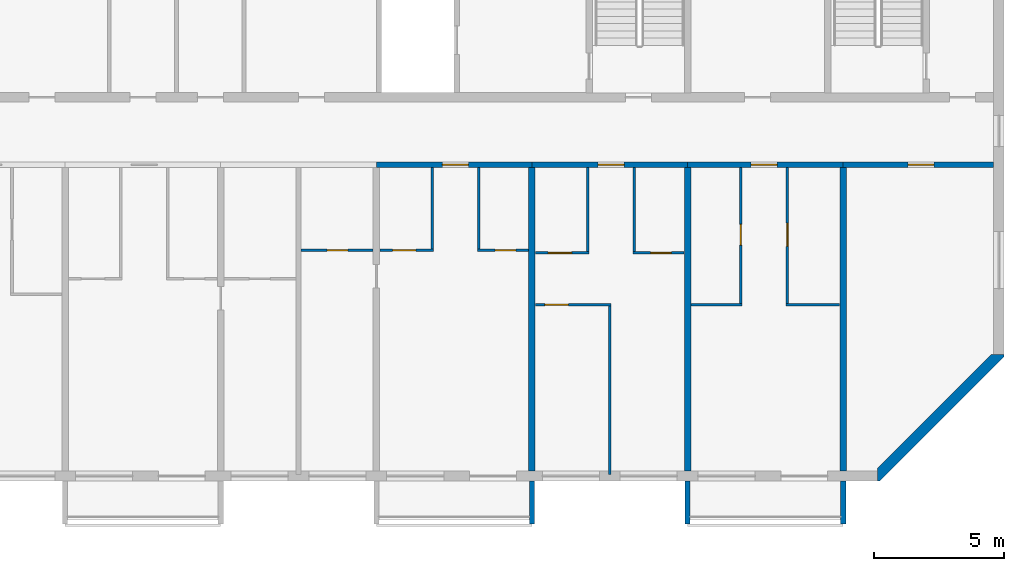
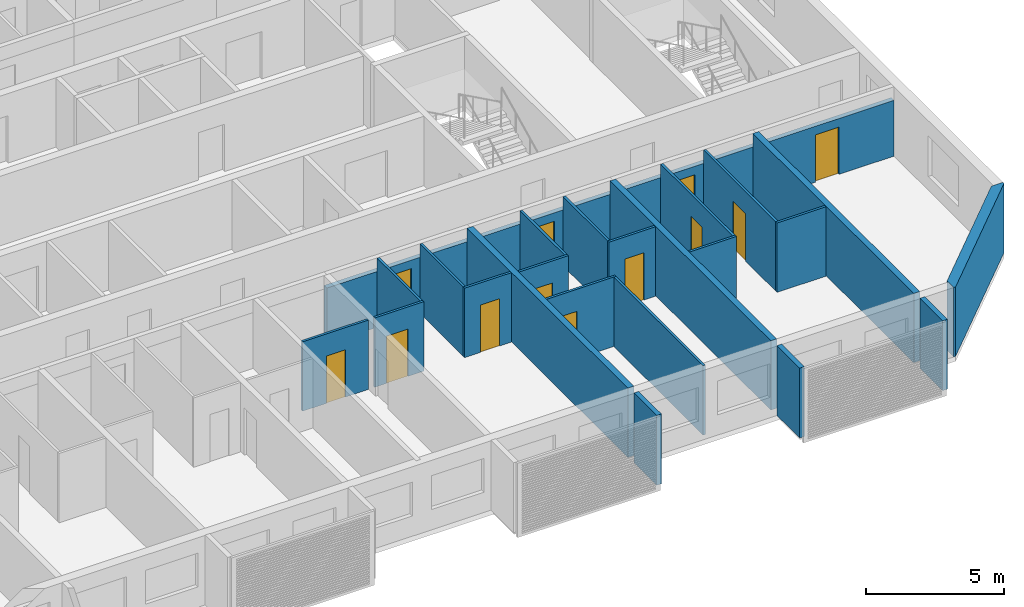
# One storey, part 5 of 27: 26 walls, 12 doors, 12 openings.
"""IFC4 building model written with IfcOpenShell, lengths in metres."""

from ifc_helpers import new_model, si_unit, direction, frame, frame_2d, origin, place, context, subcontext, project, spatial, polyline, rectangle, outline, extrude, source, transform, mapped, material, layer, layer_set, type_object, element, fill, save


model = new_model("IFC4")

# Units and contexts
model_context = context("Model", 3, precision=1e-05, world=origin(), true_north=direction((0.0, 1.0)))
body_context = subcontext(model_context, "Body", "Model", "MODEL_VIEW")
ifc_project = project(units=[si_unit("LENGTHUNIT", "METRE"), si_unit("AREAUNIT", "SQUARE_METRE"), si_unit("VOLUMEUNIT", "CUBIC_METRE"), si_unit("PLANEANGLEUNIT", "RADIAN"), si_unit("MASSUNIT", "GRAM", prefix="KILO")], contexts=[model_context])

# Site, building, storey
site_placement = place(None, origin())
site = spatial("IfcSite", under=ifc_project, at=site_placement, CompositionType="ELEMENT")
building_placement = place(site_placement, origin())
building = spatial("IfcBuilding", under=site, at=building_placement, Name="Poui Terraces", CompositionType="ELEMENT")
storey_placement = place(building_placement, frame((0.0, 0.0, 254.39990234375)))
storey = spatial("IfcBuildingStorey", under=building, at=storey_placement, Name="L71", CompositionType="ELEMENT", Elevation=254.39990234375)

# Wall, opening, door
ifc_material_1 = material(Name="Concrete 50 MPa", Category="concrete")
ifc_layer_1 = layer(ifc_material_1, 0.199951171875)
ifc_layer_set_1 = layer_set([ifc_layer_1], Name="Concrete 50 MPa")
wall_type_1 = type_object("IfcWallType", Name="CORRIDOR WALL 200 50MPa", PredefinedType="SHEAR", material=ifc_layer_set_1)
wall_1_placement = place(storey_placement, frame((60.0, 12.0, 0.0), z_axis=(0.0, 0.0, 1.0), x_axis=(1.0, 0.0, 0.0)))
wall_1 = element("IfcWall", 1, at=wall_1_placement, inside=storey, type_object=wall_type_1, Name="CORRIDOR WALL LINE B BAY 8", PredefinedType="SHEAR", context=body_context, shape_type="SweptSolid", body=[
    extrude(rectangle(XDim=6.0, YDim=0.199951171875, at=frame_2d((3.0, 0.0))), origin(), (0.0, 0.0, 1.0), 2.47998046875),
])
opening_1_placement = place(wall_1_placement, frame((2.550048828125, 0.0, 0.0)))
opening_1 = element("IfcOpeningElement", 2, at=opening_1_placement, cuts=wall_1, Name="Opening FD30S", PredefinedType="OPENING", context=body_context, shape_type="SweptSolid", body=[
    extrude(rectangle(XDim=1.0, YDim=2.10009765625, at=frame_2d((0.5, 1.050048828125))), frame((0.0, 0.10986328125, 0.0), z_axis=(0.0, -1.0, 0.0), x_axis=(1.0, 0.0, 0.0)), (0.0, 0.0, 1.0), 0.219970703125),
])
ifc_material_2 = material(Name="Steel fire door", Category="steel")
door_type_1 = type_object("IfcDoorType", Name="FLAT ENTRANCE DOOR 1000 X 2100", OperationType="NOTDEFINED", PredefinedType="DOOR", material=ifc_material_2)
door_1_placement = place(opening_1_placement, frame((1.0, 0.0, 0.0), z_axis=(0.0, 0.0, 1.0), x_axis=(-1.0, 0.0, 0.0)))
door_1 = element("IfcDoor", 3, at=door_1_placement, inside=storey, type_object=door_type_1, Name="FLAT ENTRANCE DOOR 084", OperationType="SINGLE_SWING_LEFT", OverallHeight=2.10009765625, OverallWidth=1.0, PredefinedType="DOOR", context=body_context, shape_type="SweptSolid", body=[
    extrude(rectangle(XDim=1.0, YDim=2.10009765625, at=frame_2d((0.5, 1.050048828125))), frame((0.0, 0.02490234375, 0.0), z_axis=(0.0, -1.0, 0.0), x_axis=(1.0, 0.0, 0.0)), (0.0, 0.0, 1.0), 0.050048828125),
])
fill(opening_1, door_1)

wall_2_placement = place(storey_placement, frame((66.0, 12.0, 0.0), z_axis=(0.0, 0.0, 1.0), x_axis=(1.0, 0.0, 0.0)))
wall_2 = element("IfcWall", 4, at=wall_2_placement, inside=storey, type_object=wall_type_1, Name="CORRIDOR WALL LINE B BAY 9", PredefinedType="SHEAR", context=body_context, shape_type="SweptSolid", body=[
    extrude(rectangle(XDim=6.0, YDim=0.199951171875, at=frame_2d((3.0, 0.0))), origin(), (0.0, 0.0, 1.0), 2.47998046875),
])
opening_2_placement = place(wall_2_placement, frame((2.550048828125, 0.0, 0.0)))
opening_2 = element("IfcOpeningElement", 5, at=opening_2_placement, cuts=wall_2, Name="Opening FD30S", PredefinedType="OPENING", context=body_context, shape_type="SweptSolid", body=[
    extrude(rectangle(XDim=1.0, YDim=2.10009765625, at=frame_2d((0.5, 1.050048828125))), frame((0.0, 0.10986328125, 0.0), z_axis=(0.0, -1.0, 0.0), x_axis=(1.0, 0.0, 0.0)), (0.0, 0.0, 1.0), 0.219970703125),
])
door_2_placement = place(opening_2_placement, frame((1.0, 0.0, 0.0), z_axis=(0.0, 0.0, 1.0), x_axis=(-1.0, 0.0, 0.0)))
door_2 = element("IfcDoor", 6, at=door_2_placement, inside=storey, type_object=door_type_1, Name="FLAT ENTRANCE DOOR 088", OperationType="SINGLE_SWING_LEFT", OverallHeight=2.10009765625, OverallWidth=1.0, PredefinedType="DOOR", context=body_context, shape_type="SweptSolid", body=[
    extrude(rectangle(XDim=1.0, YDim=2.10009765625, at=frame_2d((0.5, 1.050048828125))), frame((0.0, 0.02490234375, 0.0), z_axis=(0.0, -1.0, 0.0), x_axis=(1.0, 0.0, 0.0)), (0.0, 0.0, 1.0), 0.050048828125),
])
fill(opening_2, door_2)

wall_3_placement = place(storey_placement, frame((72.0, 12.0, 0.0), z_axis=(0.0, 0.0, 1.0), x_axis=(1.0, 0.0, 0.0)))
wall_3 = element("IfcWall", 7, at=wall_3_placement, inside=storey, type_object=wall_type_1, Name="CORRIDOR WALL LINE B BAY 10", PredefinedType="SHEAR", context=body_context, shape_type="SweptSolid", body=[
    extrude(rectangle(XDim=6.0, YDim=0.199951171875, at=frame_2d((3.0, 0.0))), origin(), (0.0, 0.0, 1.0), 2.47998046875),
])
opening_3_placement = place(wall_3_placement, frame((2.449951171875, 0.0, 0.0)))
opening_3 = element("IfcOpeningElement", 8, at=opening_3_placement, cuts=wall_3, Name="Opening FD30S", PredefinedType="OPENING", context=body_context, shape_type="SweptSolid", body=[
    extrude(rectangle(XDim=1.0, YDim=2.10009765625, at=frame_2d((0.5, 1.050048828125))), frame((0.0, 0.10986328125, 0.0), z_axis=(0.0, -1.0, 0.0), x_axis=(1.0, 0.0, 0.0)), (0.0, 0.0, 1.0), 0.219970703125),
])
door_3_placement = place(opening_3_placement, frame((1.0, 0.0, 0.0), z_axis=(0.0, 0.0, 1.0), x_axis=(-1.0, 0.0, 0.0)))
door_3 = element("IfcDoor", 9, at=door_3_placement, inside=storey, type_object=door_type_1, Name="FLAT ENTRANCE DOOR 091", OperationType="SINGLE_SWING_RIGHT", OverallHeight=2.10009765625, OverallWidth=1.0, PredefinedType="DOOR", context=body_context, shape_type="SweptSolid", body=[
    extrude(rectangle(XDim=1.0, YDim=2.10009765625, at=frame_2d((0.5, 1.050048828125))), frame((0.0, 0.02490234375, 0.0), z_axis=(0.0, -1.0, 0.0), x_axis=(1.0, 0.0, 0.0)), (0.0, 0.0, 1.0), 0.050048828125),
])
fill(opening_3, door_3)

wall_4_placement = place(storey_placement, frame((78.0, 12.0, 0.0), z_axis=(0.0, 0.0, 1.0), x_axis=(1.0, 0.0, 0.0)))
wall_4 = element("IfcWall", 10, at=wall_4_placement, inside=storey, type_object=wall_type_1, Name="CORRIDOR WALL LINE B BAY 11", PredefinedType="SHEAR", context=body_context, shape_type="SweptSolid", body=[
    extrude(rectangle(XDim=5.800048828125, YDim=0.199951171875, at=frame_2d((2.89990234375, 0.0))), origin(), (0.0, 0.0, 1.0), 2.47998046875),
])
opening_4_placement = place(wall_4_placement, frame((2.5, 0.0, 0.0)))
opening_4 = element("IfcOpeningElement", 11, at=opening_4_placement, cuts=wall_4, Name="Opening D100", PredefinedType="OPENING", context=body_context, shape_type="SweptSolid", body=[
    extrude(rectangle(XDim=1.0, YDim=2.10009765625, at=frame_2d((0.5, 1.050048828125))), frame((0.0, 0.10986328125, 0.0), z_axis=(0.0, -1.0, 0.0), x_axis=(1.0, 0.0, 0.0)), (0.0, 0.0, 1.0), 0.219970703125),
])
ifc_material_3 = material(Name="Solid core timber door", Category="wood")
door_type_2 = type_object("IfcDoorType", Name="ACCESSIBLE INTERNAL DOOR 1000 X 2100", OperationType="NOTDEFINED", PredefinedType="DOOR", material=ifc_material_3)
door_4_placement = place(opening_4_placement, frame((1.0, 0.0, 0.0), z_axis=(0.0, 0.0, 1.0), x_axis=(-1.0, 0.0, 0.0)))
door_4 = element("IfcDoor", 12, at=door_4_placement, inside=storey, type_object=door_type_2, Name="ACCESSIBLE INTERNAL DOOR 093", OperationType="SINGLE_SWING_RIGHT", OverallHeight=2.10009765625, OverallWidth=1.0, PredefinedType="DOOR", context=body_context, shape_type="SweptSolid", body=[
    extrude(rectangle(XDim=1.0, YDim=2.10009765625, at=frame_2d((0.5, 1.050048828125))), frame((0.0, 0.02490234375, 0.0), z_axis=(0.0, -1.0, 0.0), x_axis=(1.0, 0.0, 0.0)), (0.0, 0.0, 1.0), 0.050048828125),
])
fill(opening_4, door_4)

# Walls
ifc_layer_2 = layer(ifc_material_1, 0.25)
ifc_layer_set_2 = layer_set([ifc_layer_2], Name="Concrete 50 MPa")
wall_type_2 = type_object("IfcWallType", Name="CROSS WALL 250 50MPa", PredefinedType="SHEAR", material=ifc_layer_set_2)
for number, where, z_axis, x_axis, name in (
    (13, (66.0, 0.199951171875, 0.0), (0.0, 0.0, 1.0), (0.0, 1.0, 0.0), "CROSS WALL LINE 12 SOUTH"),
    (14, (72.0, 0.199951171875, 0.0), (0.0, 0.0, 1.0), (0.0, 1.0, 0.0), "CROSS WALL LINE 13 SOUTH"),
    (15, (78.0, 0.199951171875, 0.0), (0.0, 0.0, 1.0), (0.0, 1.0, 0.0), "CROSS WALL LINE 14 SOUTH"),
):
    element("IfcWall", number, at=place(storey_placement, frame(where, z_axis=z_axis, x_axis=x_axis)), inside=storey, type_object=wall_type_2, Name=name, PredefinedType="SHEAR", context=body_context, shape_type="SweptSolid", body=[
        extrude(rectangle(XDim=11.699951171875, YDim=0.25, at=frame_2d((5.85009765625, 0.0))), origin(), (0.0, 0.0, 1.0), 3.080078125),
    ])

# Wall, opening, door
ifc_material_4 = material(Name="Plasterboard partition")
ifc_layer_3 = layer(ifc_material_4, 0.10009765625)
ifc_layer_set_3 = layer_set([ifc_layer_3], Name="Plasterboard partition")
wall_type_3 = type_object("IfcWallType", Name="FLAT PARTITION 100", PredefinedType="PARTITIONING", material=ifc_layer_set_3)
wall_5_placement = place(storey_placement, frame((66.135009765625, 6.60009765625, 0.0), z_axis=(0.0, 0.0, 1.0), x_axis=(1.0, 0.0, 0.0)))
wall_5 = element("IfcWall", 16, at=wall_5_placement, inside=storey, type_object=wall_type_3, Name="FLAT PARTITION 100", PredefinedType="PARTITIONING", context=body_context, shape_type="SweptSolid", body=[
    extrude(rectangle(XDim=2.9150390625, YDim=0.10009765625, at=frame_2d((1.45751953125, 0.0))), origin(), (0.0, 0.0, 1.0), 3.080078125),
])
opening_5_placement = place(wall_5_placement, frame((0.364990234375, 0.0, 0.0)))
opening_5 = element("IfcOpeningElement", 17, at=opening_5_placement, cuts=wall_5, Name="Opening D90", PredefinedType="OPENING", context=body_context, shape_type="SweptSolid", body=[
    extrude(rectangle(XDim=0.89990234375, YDim=2.10009765625, at=frame_2d((0.449951171875, 1.050048828125))), frame((0.0, 0.06005859375, 0.0), z_axis=(0.0, -1.0, 0.0), x_axis=(1.0, 0.0, 0.0)), (0.0, 0.0, 1.0), 0.1201171875),
])
door_type_3 = type_object("IfcDoorType", Name="INTERNAL DOOR 900 X 2100", OperationType="NOTDEFINED", PredefinedType="DOOR", material=ifc_material_3)
door_5_placement = place(opening_5_placement, origin())
door_5 = element("IfcDoor", 18, at=door_5_placement, inside=storey, type_object=door_type_3, Name="INTERNAL DOOR 086", OperationType="SINGLE_SWING_RIGHT", OverallHeight=2.10009765625, OverallWidth=0.89990234375, PredefinedType="DOOR", context=body_context, shape_type="SweptSolid", body=[
    extrude(rectangle(XDim=0.89990234375, YDim=2.10009765625, at=frame_2d((0.449951171875, 1.050048828125))), frame((0.0, 0.02490234375, 0.0), z_axis=(0.0, -1.0, 0.0), x_axis=(1.0, 0.0, 0.0)), (0.0, 0.0, 1.0), 0.050048828125),
])
fill(opening_5, door_5)

# Walls
wall_6_placement = place(storey_placement, frame((72.135009765625, 6.60009765625, 0.0), z_axis=(0.0, 0.0, 1.0), x_axis=(1.0, 0.0, 0.0)))
element("IfcWall", 19, at=wall_6_placement, inside=storey, type_object=wall_type_3, Name="FLAT PARTITION 100", PredefinedType="PARTITIONING", context=body_context, shape_type="SweptSolid", body=[
    extrude(rectangle(XDim=1.965087890625, YDim=0.10009765625, at=frame_2d((0.982421875, 0.0))), origin(), (0.0, 0.0, 1.0), 3.080078125),
])
wall_7_placement = place(storey_placement, frame((75.800048828125, 6.60009765625, 0.0), z_axis=(0.0, 0.0, 1.0), x_axis=(1.0, 0.0, 0.0)))
element("IfcWall", 20, at=wall_7_placement, inside=storey, type_object=wall_type_3, Name="FLAT PARTITION 100", PredefinedType="PARTITIONING", context=body_context, shape_type="SweptSolid", body=[
    extrude(rectangle(XDim=2.06494140625, YDim=0.10009765625, at=frame_2d((1.032470703125, 0.0))), origin(), (0.0, 0.0, 1.0), 3.080078125),
])

# Wall, opening, door
wall_8_placement = place(storey_placement, frame((66.135009765625, 8.60009765625, 0.0), z_axis=(0.0, 0.0, 1.0), x_axis=(1.0, 0.0, 0.0)))
wall_8 = element("IfcWall", 21, at=wall_8_placement, inside=storey, type_object=wall_type_3, Name="FLAT PARTITION 100", PredefinedType="PARTITIONING", context=body_context, shape_type="SweptSolid", body=[
    extrude(rectangle(XDim=2.06494140625, YDim=0.10009765625, at=frame_2d((1.032470703125, 0.0))), origin(), (0.0, 0.0, 1.0), 3.080078125),
])
opening_6_placement = place(wall_8_placement, frame((0.489990234375, 0.0, 0.0)))
opening_6 = element("IfcOpeningElement", 22, at=opening_6_placement, cuts=wall_8, Name="Opening D90", PredefinedType="OPENING", context=body_context, shape_type="SweptSolid", body=[
    extrude(rectangle(XDim=0.89990234375, YDim=2.10009765625, at=frame_2d((0.449951171875, 1.050048828125))), frame((0.0, 0.06005859375, 0.0), z_axis=(0.0, -1.0, 0.0), x_axis=(1.0, 0.0, 0.0)), (0.0, 0.0, 1.0), 0.1201171875),
])
door_6_placement = place(opening_6_placement, origin())
door_6 = element("IfcDoor", 23, at=door_6_placement, inside=storey, type_object=door_type_3, Name="INTERNAL DOOR 087", OperationType="SINGLE_SWING_LEFT", OverallHeight=2.10009765625, OverallWidth=0.89990234375, PredefinedType="DOOR", context=body_context, shape_type="SweptSolid", body=[
    extrude(rectangle(XDim=0.89990234375, YDim=2.10009765625, at=frame_2d((0.449951171875, 1.050048828125))), frame((0.0, 0.02490234375, 0.0), z_axis=(0.0, -1.0, 0.0), x_axis=(1.0, 0.0, 0.0)), (0.0, 0.0, 1.0), 0.050048828125),
])
fill(opening_6, door_6)

wall_9_placement = place(storey_placement, frame((69.89990234375, 8.60009765625, 0.0), z_axis=(0.0, 0.0, 1.0), x_axis=(1.0, 0.0, 0.0)))
wall_9 = element("IfcWall", 24, at=wall_9_placement, inside=storey, type_object=wall_type_3, Name="FLAT PARTITION 100", PredefinedType="PARTITIONING", context=body_context, shape_type="SweptSolid", body=[
    extrude(rectangle(XDim=1.965087890625, YDim=0.10009765625, at=frame_2d((0.982421875, 0.0))), origin(), (0.0, 0.0, 1.0), 3.080078125),
])
opening_7_placement = place(wall_9_placement, frame((0.675048828125, 0.0, 0.0)))
opening_7 = element("IfcOpeningElement", 25, at=opening_7_placement, cuts=wall_9, Name="Opening D80", PredefinedType="OPENING", context=body_context, shape_type="SweptSolid", body=[
    extrude(rectangle(XDim=0.800048828125, YDim=2.10009765625, at=frame_2d((0.39990234375, 1.050048828125))), frame((0.0, 0.06005859375, 0.0), z_axis=(0.0, -1.0, 0.0), x_axis=(1.0, 0.0, 0.0)), (0.0, 0.0, 1.0), 0.1201171875),
])
door_type_4 = type_object("IfcDoorType", Name="BATHROOM, LAUNDRY AND STORE DOOR 800 X 2100", OperationType="NOTDEFINED", PredefinedType="DOOR", material=ifc_material_3)
door_7_placement = place(opening_7_placement, origin())
door_7 = element("IfcDoor", 26, at=door_7_placement, inside=storey, type_object=door_type_4, Name="BATHROOM, LAUNDRY AND STORE DOOR 089", OperationType="SINGLE_SWING_RIGHT", OverallHeight=2.10009765625, OverallWidth=0.800048828125, PredefinedType="DOOR", context=body_context, shape_type="SweptSolid", body=[
    extrude(rectangle(XDim=0.800048828125, YDim=2.10009765625, at=frame_2d((0.39990234375, 1.050048828125))), frame((0.0, 0.02490234375, 0.0), z_axis=(0.0, -1.0, 0.0), x_axis=(1.0, 0.0, 0.0)), (0.0, 0.0, 1.0), 0.050048828125),
])
fill(opening_7, door_7)

wall_10_placement = place(storey_placement, frame((57.10009765625, 8.699951171875, 0.0), z_axis=(0.0, 0.0, 1.0), x_axis=(1.0, 0.0, 0.0)))
wall_10 = element("IfcWall", 27, at=wall_10_placement, inside=storey, type_object=wall_type_3, Name="FLAT PARTITION 100", PredefinedType="PARTITIONING", context=body_context, shape_type="SweptSolid", body=[
    extrude(rectangle(XDim=2.764892578125, YDim=0.10009765625, at=frame_2d((1.38232421875, 0.0))), origin(), (0.0, 0.0, 1.0), 3.080078125),
])
opening_8_placement = place(wall_10_placement, frame((1.0, 0.0, 0.0)))
opening_8 = element("IfcOpeningElement", 28, at=opening_8_placement, cuts=wall_10, Name="Opening D80", PredefinedType="OPENING", context=body_context, shape_type="SweptSolid", body=[
    extrude(rectangle(XDim=0.800048828125, YDim=2.10009765625, at=frame_2d((0.39990234375, 1.050048828125))), frame((0.0, 0.06005859375, 0.0), z_axis=(0.0, -1.0, 0.0), x_axis=(1.0, 0.0, 0.0)), (0.0, 0.0, 1.0), 0.1201171875),
])
door_8_placement = place(opening_8_placement, origin())
door_8 = element("IfcDoor", 29, at=door_8_placement, inside=storey, type_object=door_type_4, Name="BATHROOM, LAUNDRY AND STORE DOOR 081", OperationType="SINGLE_SWING_RIGHT", OverallHeight=2.10009765625, OverallWidth=0.800048828125, PredefinedType="DOOR", context=body_context, shape_type="SweptSolid", body=[
    extrude(rectangle(XDim=0.800048828125, YDim=2.10009765625, at=frame_2d((0.39990234375, 1.050048828125))), frame((0.0, 0.02490234375, 0.0), z_axis=(0.0, -1.0, 0.0), x_axis=(1.0, 0.0, 0.0)), (0.0, 0.0, 1.0), 0.050048828125),
])
fill(opening_8, door_8)

wall_11_placement = place(storey_placement, frame((60.135009765625, 8.699951171875, 0.0), z_axis=(0.0, 0.0, 1.0), x_axis=(1.0, 0.0, 0.0)))
wall_11 = element("IfcWall", 30, at=wall_11_placement, inside=storey, type_object=wall_type_3, Name="FLAT PARTITION 100", PredefinedType="PARTITIONING", context=body_context, shape_type="SweptSolid", body=[
    extrude(rectangle(XDim=2.06494140625, YDim=0.10009765625, at=frame_2d((1.032470703125, 0.0))), origin(), (0.0, 0.0, 1.0), 3.080078125),
])
opening_9_placement = place(wall_11_placement, frame((0.489990234375, 0.0, 0.0)))
opening_9 = element("IfcOpeningElement", 31, at=opening_9_placement, cuts=wall_11, Name="Opening D90", PredefinedType="OPENING", context=body_context, shape_type="SweptSolid", body=[
    extrude(rectangle(XDim=0.89990234375, YDim=2.10009765625, at=frame_2d((0.449951171875, 1.050048828125))), frame((0.0, 0.06005859375, 0.0), z_axis=(0.0, -1.0, 0.0), x_axis=(1.0, 0.0, 0.0)), (0.0, 0.0, 1.0), 0.1201171875),
])
door_9_placement = place(opening_9_placement, origin())
door_9 = element("IfcDoor", 32, at=door_9_placement, inside=storey, type_object=door_type_3, Name="INTERNAL DOOR 083", OperationType="SINGLE_SWING_LEFT", OverallHeight=2.10009765625, OverallWidth=0.89990234375, PredefinedType="DOOR", context=body_context, shape_type="SweptSolid", body=[
    extrude(rectangle(XDim=0.89990234375, YDim=2.10009765625, at=frame_2d((0.449951171875, 1.050048828125))), frame((0.0, 0.02490234375, 0.0), z_axis=(0.0, -1.0, 0.0), x_axis=(1.0, 0.0, 0.0)), (0.0, 0.0, 1.0), 0.050048828125),
])
fill(opening_9, door_9)

wall_12_placement = place(storey_placement, frame((63.89990234375, 8.699951171875, 0.0), z_axis=(0.0, 0.0, 1.0), x_axis=(1.0, 0.0, 0.0)))
wall_12 = element("IfcWall", 33, at=wall_12_placement, inside=storey, type_object=wall_type_3, Name="FLAT PARTITION 100", PredefinedType="PARTITIONING", context=body_context, shape_type="SweptSolid", body=[
    extrude(rectangle(XDim=1.965087890625, YDim=0.10009765625, at=frame_2d((0.982421875, 0.0))), origin(), (0.0, 0.0, 1.0), 3.080078125),
])
opening_10_placement = place(wall_12_placement, frame((0.675048828125, 0.0, 0.0)))
opening_10 = element("IfcOpeningElement", 34, at=opening_10_placement, cuts=wall_12, Name="Opening D80", PredefinedType="OPENING", context=body_context, shape_type="SweptSolid", body=[
    extrude(rectangle(XDim=0.800048828125, YDim=2.10009765625, at=frame_2d((0.39990234375, 1.050048828125))), frame((0.0, 0.06005859375, 0.0), z_axis=(0.0, -1.0, 0.0), x_axis=(1.0, 0.0, 0.0)), (0.0, 0.0, 1.0), 0.1201171875),
])
door_10_placement = place(opening_10_placement, origin())
door_10 = element("IfcDoor", 35, at=door_10_placement, inside=storey, type_object=door_type_4, Name="BATHROOM, LAUNDRY AND STORE DOOR 085", OperationType="SINGLE_SWING_RIGHT", OverallHeight=2.10009765625, OverallWidth=0.800048828125, PredefinedType="DOOR", context=body_context, shape_type="SweptSolid", body=[
    extrude(rectangle(XDim=0.800048828125, YDim=2.10009765625, at=frame_2d((0.39990234375, 1.050048828125))), frame((0.0, 0.02490234375, 0.0), z_axis=(0.0, -1.0, 0.0), x_axis=(1.0, 0.0, 0.0)), (0.0, 0.0, 1.0), 0.050048828125),
])
fill(opening_10, door_10)

# Walls
for number, where, z_axis, x_axis, name in (
    (36, (62.14990234375, 8.75, 0.0), (0.0, 0.0, 1.0), (0.0, 1.0, 0.0), "FLAT PARTITION 100"),
    (37, (63.949951171875, 8.75, 0.0), (0.0, 0.0, 1.0), (0.0, 1.0, 0.0), "FLAT PARTITION 100"),
):
    element("IfcWall", number, at=place(storey_placement, frame(where, z_axis=z_axis, x_axis=x_axis)), inside=storey, type_object=wall_type_3, Name=name, PredefinedType="PARTITIONING", context=body_context, shape_type="SweptSolid", body=[
        extrude(rectangle(XDim=3.139892578125, YDim=0.10009765625, at=frame_2d((1.56982421875, 0.0))), origin(), (0.0, 0.0, 1.0), 3.080078125),
    ])
wall_13_placement = place(storey_placement, frame((68.14990234375, 8.64990234375, 0.0), z_axis=(0.0, 0.0, 1.0), x_axis=(0.0, 1.0, 0.0)))
element("IfcWall", 38, at=wall_13_placement, inside=storey, type_object=wall_type_3, Name="FLAT PARTITION 100", PredefinedType="PARTITIONING", context=body_context, shape_type="SweptSolid", body=[
    extrude(rectangle(XDim=3.239990234375, YDim=0.10009765625, at=frame_2d((1.6201171875, 0.0))), origin(), (0.0, 0.0, 1.0), 3.080078125),
])
wall_14_placement = place(storey_placement, frame((69.0, 0.06005859375, 0.0), z_axis=(0.0, 0.0, 1.0), x_axis=(0.0, 1.0, 0.0)))
element("IfcWall", 39, at=wall_14_placement, inside=storey, type_object=wall_type_3, Name="FLAT PARTITION 100", PredefinedType="PARTITIONING", context=body_context, shape_type="SweptSolid", body=[
    extrude(rectangle(XDim=6.489990234375, YDim=0.10009765625, at=frame_2d((3.2451171875, 0.0))), origin(), (0.0, 0.0, 1.0), 3.080078125),
])
wall_15_placement = place(storey_placement, frame((69.949951171875, 8.64990234375, 0.0), z_axis=(0.0, 0.0, 1.0), x_axis=(0.0, 1.0, 0.0)))
element("IfcWall", 40, at=wall_15_placement, inside=storey, type_object=wall_type_3, Name="FLAT PARTITION 100", PredefinedType="PARTITIONING", context=body_context, shape_type="SweptSolid", body=[
    extrude(rectangle(XDim=3.239990234375, YDim=0.10009765625, at=frame_2d((1.6201171875, 0.0))), origin(), (0.0, 0.0, 1.0), 3.080078125),
])

# Wall, opening, door
wall_16_placement = place(storey_placement, frame((74.050048828125, 6.64990234375, 0.0), z_axis=(0.0, 0.0, 1.0), x_axis=(0.0, 1.0, 0.0)))
wall_16 = element("IfcWall", 41, at=wall_16_placement, inside=storey, type_object=wall_type_3, Name="FLAT PARTITION 100", PredefinedType="PARTITIONING", context=body_context, shape_type="SweptSolid", body=[
    extrude(rectangle(XDim=5.239990234375, YDim=0.10009765625, at=frame_2d((2.6201171875, 0.0))), origin(), (0.0, 0.0, 1.0), 3.080078125),
])
opening_11_placement = place(wall_16_placement, frame((2.25, 0.0, 0.0)))
opening_11 = element("IfcOpeningElement", 42, at=opening_11_placement, cuts=wall_16, Name="Opening D80", PredefinedType="OPENING", context=body_context, shape_type="SweptSolid", body=[
    extrude(rectangle(XDim=0.800048828125, YDim=2.10009765625, at=frame_2d((0.39990234375, 1.050048828125))), frame((0.0, 0.06005859375, 0.0), z_axis=(0.0, -1.0, 0.0), x_axis=(1.0, 0.0, 0.0)), (0.0, 0.0, 1.0), 0.1201171875),
])
door_11_placement = place(opening_11_placement, origin())
door_11 = element("IfcDoor", 43, at=door_11_placement, inside=storey, type_object=door_type_4, Name="BATHROOM, LAUNDRY AND STORE DOOR 090", OperationType="SINGLE_SWING_LEFT", OverallHeight=2.10009765625, OverallWidth=0.800048828125, PredefinedType="DOOR", context=body_context, shape_type="SweptSolid", body=[
    extrude(rectangle(XDim=0.800048828125, YDim=2.10009765625, at=frame_2d((0.39990234375, 1.050048828125))), frame((0.0, 0.02490234375, 0.0), z_axis=(0.0, -1.0, 0.0), x_axis=(1.0, 0.0, 0.0)), (0.0, 0.0, 1.0), 0.050048828125),
])
fill(opening_11, door_11)

wall_17_placement = place(storey_placement, frame((75.85009765625, 6.64990234375, 0.0), z_axis=(0.0, 0.0, 1.0), x_axis=(0.0, 1.0, 0.0)))
wall_17 = element("IfcWall", 44, at=wall_17_placement, inside=storey, type_object=wall_type_3, Name="FLAT PARTITION 100", PredefinedType="PARTITIONING", context=body_context, shape_type="SweptSolid", body=[
    extrude(rectangle(XDim=5.239990234375, YDim=0.10009765625, at=frame_2d((2.6201171875, 0.0))), origin(), (0.0, 0.0, 1.0), 3.080078125),
])
opening_12_placement = place(wall_17_placement, frame((2.199951171875, 0.0, 0.0)))
opening_12 = element("IfcOpeningElement", 45, at=opening_12_placement, cuts=wall_17, Name="Opening D90", PredefinedType="OPENING", context=body_context, shape_type="SweptSolid", body=[
    extrude(rectangle(XDim=0.89990234375, YDim=2.10009765625, at=frame_2d((0.449951171875, 1.050048828125))), frame((0.0, 0.06005859375, 0.0), z_axis=(0.0, -1.0, 0.0), x_axis=(1.0, 0.0, 0.0)), (0.0, 0.0, 1.0), 0.1201171875),
])
door_12_placement = place(opening_12_placement, frame((0.89990234375, 0.0, 0.0), z_axis=(0.0, 0.0, 1.0), x_axis=(-1.0, 0.0, 0.0)))
door_12 = element("IfcDoor", 46, at=door_12_placement, inside=storey, type_object=door_type_3, Name="INTERNAL DOOR 092", OperationType="SINGLE_SWING_LEFT", OverallHeight=2.10009765625, OverallWidth=0.89990234375, PredefinedType="DOOR", context=body_context, shape_type="SweptSolid", body=[
    extrude(rectangle(XDim=0.89990234375, YDim=2.10009765625, at=frame_2d((0.449951171875, 1.050048828125))), frame((0.0, 0.02490234375, 0.0), z_axis=(0.0, -1.0, 0.0), x_axis=(1.0, 0.0, 0.0)), (0.0, 0.0, 1.0), 0.050048828125),
])
fill(opening_12, door_12)

# Walls
ifc_material_5 = material(Name="Precast concrete 40 MPa", Category="concrete")
ifc_layer_4 = layer(ifc_material_5, 0.39990234375)
ifc_layer_set_4 = layer_set([ifc_layer_4], Name="Precast concrete 40 MPa")
wall_type_4 = type_object("IfcWallType", Name="TERRACOTTA CLAD CHAMFER WALL 400", PredefinedType="STANDARD", material=ifc_layer_set_4)
wall_18_placement = place(storey_placement, origin())
element("IfcWall", 47, at=wall_18_placement, inside=storey, type_object=wall_type_4, Name="CHAMFER WALL CH01", PredefinedType="STANDARD", context=body_context, shape_type="SweptSolid", body=[
    extrude(outline(polyline([(79.317138671875, -0.199951171875), (79.39990234375, -0.199951171875), (84.199951171875, 4.60009765625), (84.199951171875, 4.682861328125), (83.71728515625, 4.682861328125), (79.317138671875, 0.28271484375), (79.317138671875, -0.199951171875)])), origin(), (0.0, 0.0, 1.0), 3.080078125),
])
ifc_layer_5 = layer(ifc_material_5, 0.199951171875)
ifc_layer_set_5 = layer_set([ifc_layer_5], Name="Precast concrete 40 MPa")
wall_type_5 = type_object("IfcWallType", Name="REAR FIN 200", PredefinedType="STANDARD", material=ifc_layer_set_5)
shared_shape = source(origin(), body_context, "Body", "SweptSolid", [
    extrude(outline(polyline([(0.0, 0.0), (0.2001953125, 0.0), (0.2001953125, 1.650146484375), (0.0, 1.650146484375), (0.0, 0.0)])), origin(), (0.0, 0.0, 1.0), 3.10009765625),
])
for number, where, name in (
    (48, (65.89990234375, -1.85009765625, 0.0), "REAR FIN"),
    (49, (71.89990234375, -1.85009765625, 0.0), "REAR FIN"),
    (50, (77.89990234375, -1.85009765625, 0.0), "REAR FIN"),
):
    element("IfcWall", number, at=place(storey_placement, frame(where)), inside=storey, type_object=wall_type_5, Name=name, PredefinedType="STANDARD", context=body_context, shape_type="MappedRepresentation", body=[
        mapped(shared_shape, transform((0.0, 0.0, 0.0))),
    ])

save(model, "model.ifc")
